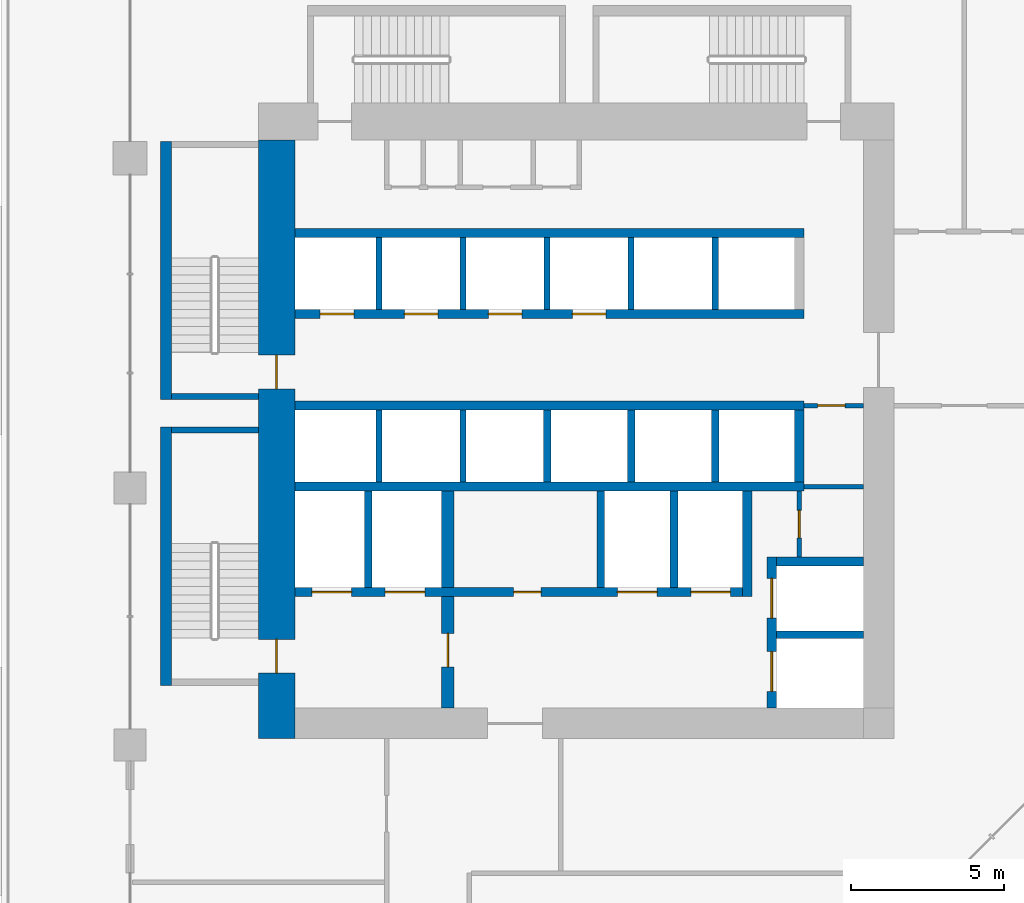
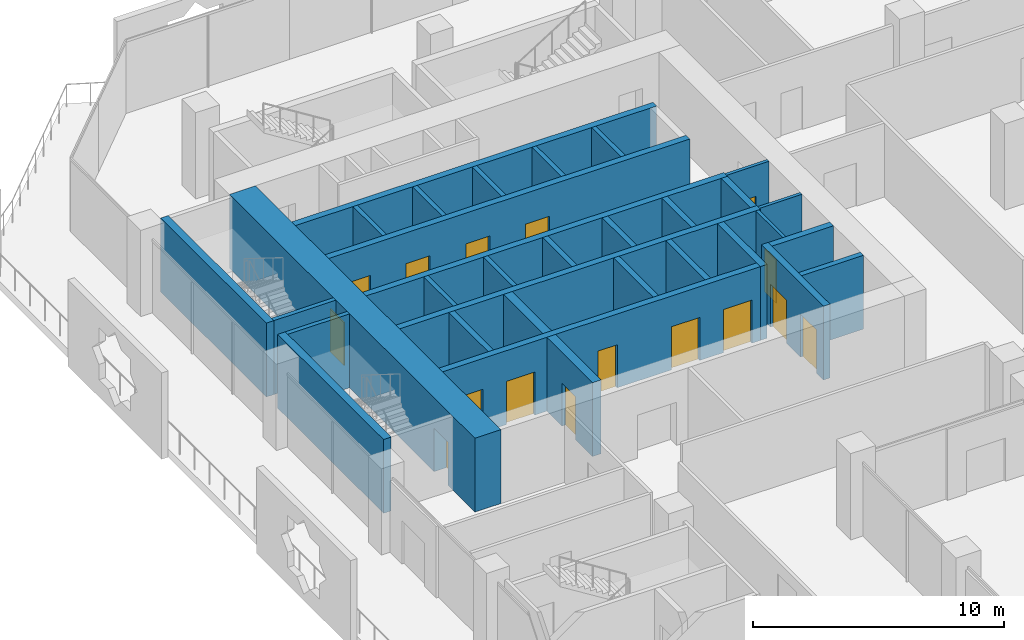
# One storey, part 14 of 25: 33 walls, 16 doors, 16 openings.
"""IFC4 building model written with IfcOpenShell, lengths in metres."""

from ifc_helpers import new_model, si_unit, direction, frame, frame_2d, origin, place, context, subcontext, project, spatial, rectangle, extrude, material, layer, layer_set, type_object, element, fill, save


model = new_model("IFC4")

# Units and contexts
model_context = context("Model", 3, precision=1e-05, world=origin(), true_north=direction((0.0, 1.0)))
body_context = subcontext(model_context, "Body", "Model", "MODEL_VIEW")
ifc_project = project(units=[si_unit("LENGTHUNIT", "METRE"), si_unit("AREAUNIT", "SQUARE_METRE"), si_unit("VOLUMEUNIT", "CUBIC_METRE"), si_unit("PLANEANGLEUNIT", "RADIAN"), si_unit("MASSUNIT", "GRAM", prefix="KILO")], contexts=[model_context])

# Site, building, storey
site_placement = place(None, origin())
site = spatial("IfcSite", under=ifc_project, at=site_placement, CompositionType="ELEMENT")
building_placement = place(site_placement, origin())
building = spatial("IfcBuilding", under=site, at=building_placement, Name="Kawkab Arch Medical Tower", CompositionType="ELEMENT")
storey_placement = place(building_placement, frame((0.0, 0.0, 98.800048828125)))
storey = spatial("IfcBuildingStorey", under=building, at=storey_placement, Name="L22", CompositionType="ELEMENT", Elevation=98.800048828125)

# Wall, openings, doors
ifc_material_1 = material(Name="Concrete C60/75", Category="concrete")
ifc_layer_1 = layer(ifc_material_1, 1.199951171875)
ifc_layer_set_1 = layer_set([ifc_layer_1], Name="Concrete C60/75")
wall_type_1 = type_object("IfcWallType", Name="Core ring wall 1200 C60/75", PredefinedType="SHEAR", material=ifc_layer_set_1)
wall_1_placement = place(storey_placement, frame((4.800048828125, -25.0, 0.0), z_axis=(0.0, 0.0, 1.0), x_axis=(0.0, 1.0, 0.0)))
wall_1 = element("IfcWall", 1, at=wall_1_placement, inside=storey, type_object=wall_type_1, Name="L22 core wall", PredefinedType="SHEAR", context=body_context, shape_type="SweptSolid", body=[
    extrude(rectangle(XDim=19.60009765625, YDim=1.199951171875, at=frame_2d((9.800048828125, 0.0))), origin(), (0.0, 0.0, 1.0), 3.599853515625),
])
opening_1_placement = place(wall_1_placement, frame((11.449951171875, 0.0, 0.0)))
opening_1 = element("IfcOpeningElement", 2, at=opening_1_placement, cuts=wall_1, Name="Opening SD", PredefinedType="OPENING", context=body_context, shape_type="SweptSolid", body=[
    extrude(rectangle(XDim=1.10009765625, YDim=2.10009765625, at=frame_2d((0.550048828125, 1.050048828125))), frame((0.0, 0.60986328125, 0.0), z_axis=(0.0, -1.0, 0.0), x_axis=(1.0, 0.0, 0.0)), (0.0, 0.0, 1.0), 1.219970703125),
])
opening_2_placement = place(wall_1_placement, frame((2.14990234375, 0.0, 0.0)))
opening_2 = element("IfcOpeningElement", 3, at=opening_2_placement, cuts=wall_1, Name="Opening SD", PredefinedType="OPENING", context=body_context, shape_type="SweptSolid", body=[
    extrude(rectangle(XDim=1.10009765625, YDim=2.10009765625, at=frame_2d((0.550048828125, 1.050048828125))), frame((0.0, 0.60986328125, 0.0), z_axis=(0.0, -1.0, 0.0), x_axis=(1.0, 0.0, 0.0)), (0.0, 0.0, 1.0), 1.219970703125),
])
ifc_material_2 = material(Name="Hollow metal fire door leaf")
door_type_1 = type_object("IfcDoorType", Name="Exit stair door 1100", OperationType="SINGLE_SWING_LEFT", PredefinedType="DOOR", material=ifc_material_2)
door_1_placement = place(opening_1_placement, origin())
door_1 = element("IfcDoor", 4, at=door_1_placement, inside=storey, type_object=door_type_1, Name="L22 Exit stair ST1 door", OperationType="SINGLE_SWING_LEFT", OverallHeight=2.10009765625, OverallWidth=1.10009765625, PredefinedType="DOOR", context=body_context, shape_type="SweptSolid", body=[
    extrude(rectangle(XDim=1.10009765625, YDim=2.10009765625, at=frame_2d((0.550048828125, 1.050048828125))), frame((0.0, 0.02490234375, 0.0), z_axis=(0.0, -1.0, 0.0), x_axis=(1.0, 0.0, 0.0)), (0.0, 0.0, 1.0), 0.050048828125),
])
fill(opening_1, door_1)
door_2_placement = place(opening_2_placement, origin())
door_2 = element("IfcDoor", 5, at=door_2_placement, inside=storey, type_object=door_type_1, Name="L22 Exit stair ST2 door", OperationType="SINGLE_SWING_LEFT", OverallHeight=2.10009765625, OverallWidth=1.10009765625, PredefinedType="DOOR", context=body_context, shape_type="SweptSolid", body=[
    extrude(rectangle(XDim=1.10009765625, YDim=2.10009765625, at=frame_2d((0.550048828125, 1.050048828125))), frame((0.0, 0.02490234375, 0.0), z_axis=(0.0, -1.0, 0.0), x_axis=(1.0, 0.0, 0.0)), (0.0, 0.0, 1.0), 0.050048828125),
])
fill(opening_2, door_2)

# Wall, opening, door
ifc_material_3 = material(Name="Gypsum board on steel studs", Category="steel")
ifc_layer_2 = layer(ifc_material_3, 0.14990234375)
ifc_layer_set_2 = layer_set([ifc_layer_2], Name="Gypsum board on steel studs")
wall_type_2 = type_object("IfcWallType", Name="Core room partition 150", PredefinedType="PARTITIONING", material=ifc_layer_set_2)
wall_2_placement = place(storey_placement, frame((21.89990234375, -19.050048828125, 0.0), z_axis=(0.0, 0.0, 1.0), x_axis=(0.0, 1.0, 0.0)))
wall_2 = element("IfcWall", 6, at=wall_2_placement, inside=storey, type_object=wall_type_2, Name="L22 core room partition", PredefinedType="PARTITIONING", context=body_context, shape_type="SweptSolid", body=[
    extrude(rectangle(XDim=2.150146484375, YDim=0.14990234375, at=frame_2d((1.0751953125, 0.0))), origin(), (0.0, 0.0, 1.0), 3.599853515625),
])
opening_3_placement = place(wall_2_placement, frame((0.625, 0.0, 0.0)))
opening_3 = element("IfcOpeningElement", 7, at=opening_3_placement, cuts=wall_2, Name="Opening RD", PredefinedType="OPENING", context=body_context, shape_type="SweptSolid", body=[
    extrude(rectangle(XDim=0.89990234375, YDim=2.10009765625, at=frame_2d((0.449951171875, 1.050048828125))), frame((0.0, 0.0849609375, 0.0), z_axis=(0.0, -1.0, 0.0), x_axis=(1.0, 0.0, 0.0)), (0.0, 0.0, 1.0), 0.169921875),
])
ifc_material_4 = material(Name="Hollow metal fire door leaf")
door_type_2 = type_object("IfcDoorType", Name="Core room door 900", OperationType="SINGLE_SWING_LEFT", PredefinedType="DOOR", material=ifc_material_4)
door_3_placement = place(opening_3_placement, origin())
door_3 = element("IfcDoor", 8, at=door_3_placement, inside=storey, type_object=door_type_2, Name="L22 Staff WC door", OperationType="SINGLE_SWING_LEFT", OverallHeight=2.10009765625, OverallWidth=0.89990234375, PredefinedType="DOOR", context=body_context, shape_type="SweptSolid", body=[
    extrude(rectangle(XDim=0.89990234375, YDim=2.10009765625, at=frame_2d((0.449951171875, 1.050048828125))), frame((0.0, 0.02490234375, 0.0), z_axis=(0.0, -1.0, 0.0), x_axis=(1.0, 0.0, 0.0)), (0.0, 0.0, 1.0), 0.050048828125),
])
fill(opening_3, door_3)

# Wall
wall_3_placement = place(storey_placement, frame((22.050048828125, -16.75, 0.0), z_axis=(0.0, 0.0, 1.0), x_axis=(1.0, 0.0, 0.0)))
element("IfcWall", 9, at=wall_3_placement, inside=storey, type_object=wall_type_2, Name="L22 core room partition", PredefinedType="PARTITIONING", context=body_context, shape_type="SweptSolid", body=[
    extrude(rectangle(XDim=1.949951171875, YDim=0.14990234375, at=frame_2d((0.97509765625, 0.0))), origin(), (0.0, 0.0, 1.0), 3.599853515625),
])

# Wall, opening, door
wall_4_placement = place(storey_placement, frame((22.050048828125, -14.10009765625, 0.0), z_axis=(0.0, 0.0, 1.0), x_axis=(1.0, 0.0, 0.0)))
wall_4 = element("IfcWall", 10, at=wall_4_placement, inside=storey, type_object=wall_type_2, Name="L22 core room partition", PredefinedType="PARTITIONING", context=body_context, shape_type="SweptSolid", body=[
    extrude(rectangle(XDim=1.949951171875, YDim=0.14990234375, at=frame_2d((0.97509765625, 0.0))), origin(), (0.0, 0.0, 1.0), 3.599853515625),
])
opening_4_placement = place(wall_4_placement, frame((0.449951171875, 0.0, 0.0)))
opening_4 = element("IfcOpeningElement", 11, at=opening_4_placement, cuts=wall_4, Name="Opening RD", PredefinedType="OPENING", context=body_context, shape_type="SweptSolid", body=[
    extrude(rectangle(XDim=0.89990234375, YDim=2.10009765625, at=frame_2d((0.449951171875, 1.050048828125))), frame((0.0, 0.0849609375, 0.0), z_axis=(0.0, -1.0, 0.0), x_axis=(1.0, 0.0, 0.0)), (0.0, 0.0, 1.0), 0.169921875),
])
door_4_placement = place(opening_4_placement, origin())
door_4 = element("IfcDoor", 12, at=door_4_placement, inside=storey, type_object=door_type_2, Name="L22 Medical gas plant room door", OperationType="SINGLE_SWING_LEFT", OverallHeight=2.10009765625, OverallWidth=0.89990234375, PredefinedType="DOOR", context=body_context, shape_type="SweptSolid", body=[
    extrude(rectangle(XDim=0.89990234375, YDim=2.10009765625, at=frame_2d((0.449951171875, 1.050048828125))), frame((0.0, 0.02490234375, 0.0), z_axis=(0.0, -1.0, 0.0), x_axis=(1.0, 0.0, 0.0)), (0.0, 0.0, 1.0), 0.050048828125),
])
fill(opening_4, door_4)

# Walls
ifc_material_5 = material(Name="Concrete C60/75", Category="concrete")
ifc_layer_3 = layer(ifc_material_5, 0.25)
ifc_layer_set_3 = layer_set([ifc_layer_3], Name="Concrete C60/75")
wall_type_3 = type_object("IfcWallType", Name="Core shear wall 250 C60/75", PredefinedType="SHEAR", material=ifc_layer_set_3)
wall_5_placement = place(storey_placement, frame((21.14990234375, -21.60009765625, 0.0), z_axis=(0.0, 0.0, 1.0), x_axis=(1.0, 0.0, 0.0)))
element("IfcWall", 13, at=wall_5_placement, inside=storey, type_object=wall_type_3, Name="L22 core shear wall", PredefinedType="SHEAR", context=body_context, shape_type="SweptSolid", body=[
    extrude(rectangle(XDim=2.85009765625, YDim=0.25, at=frame_2d((1.425048828125, 0.0))), origin(), (0.0, 0.0, 1.0), 3.599853515625),
])
for number, where, z_axis, x_axis, name in (
    (14, (7.800048828125, -20.050048828125, 0.0), (0.0, 0.0, 1.0), (0.0, 1.0, 0.0), "L22 core shear wall"),
    (15, (15.39990234375, -20.050048828125, 0.0), (0.0, 0.0, 1.0), (0.0, 1.0, 0.0), "L22 core shear wall"),
    (16, (17.800048828125, -20.050048828125, 0.0), (0.0, 0.0, 1.0), (0.0, 1.0, 0.0), "L22 core shear wall"),
):
    element("IfcWall", number, at=place(storey_placement, frame(where, z_axis=z_axis, x_axis=x_axis)), inside=storey, type_object=wall_type_3, Name=name, PredefinedType="SHEAR", context=body_context, shape_type="SweptSolid", body=[
        extrude(rectangle(XDim=3.150146484375, YDim=0.25, at=frame_2d((1.5751953125, 0.0))), origin(), (0.0, 0.0, 1.0), 3.599853515625),
    ])
for number, where, z_axis, x_axis, name in (
    (17, (13.64990234375, -16.60009765625, 0.0), (0.0, 0.0, 1.0), (0.0, 1.0, 0.0), "L22 core shear wall"),
    (18, (16.39990234375, -16.60009765625, 0.0), (0.0, 0.0, 1.0), (0.0, 1.0, 0.0), "L22 core shear wall"),
    (19, (19.14990234375, -16.60009765625, 0.0), (0.0, 0.0, 1.0), (0.0, 1.0, 0.0), "L22 core shear wall"),
):
    element("IfcWall", number, at=place(storey_placement, frame(where, z_axis=z_axis, x_axis=x_axis)), inside=storey, type_object=wall_type_3, Name=name, PredefinedType="SHEAR", context=body_context, shape_type="SweptSolid", body=[
        extrude(rectangle(XDim=2.35009765625, YDim=0.25, at=frame_2d((1.175048828125, 0.0))), origin(), (0.0, 0.0, 1.0), 3.599853515625),
    ])
ifc_material_6 = material(Name="Concrete C60/75", Category="concrete")
ifc_layer_4 = layer(ifc_material_6, 0.300048828125)
ifc_layer_set_4 = layer_set([ifc_layer_4], Name="Concrete C60/75")
wall_type_4 = type_object("IfcWallType", Name="Core shear wall 300 C60/75", PredefinedType="SHEAR", material=ifc_layer_set_4)
wall_6_placement = place(storey_placement, frame((5.39990234375, -8.449951171875, 0.0), z_axis=(0.0, 0.0, 1.0), x_axis=(1.0, 0.0, 0.0)))
element("IfcWall", 20, at=wall_6_placement, inside=storey, type_object=wall_type_4, Name="L22 core shear wall", PredefinedType="SHEAR", context=body_context, shape_type="SweptSolid", body=[
    extrude(rectangle(XDim=16.650146484375, YDim=0.300048828125, at=frame_2d((8.3251953125, 0.0))), origin(), (0.0, 0.0, 1.0), 3.599853515625),
])

# Wall, openings, doors
wall_7_placement = place(storey_placement, frame((5.39990234375, -11.10009765625, 0.0), z_axis=(0.0, 0.0, 1.0), x_axis=(1.0, 0.0, 0.0)))
wall_7 = element("IfcWall", 21, at=wall_7_placement, inside=storey, type_object=wall_type_4, Name="L22 core shear wall", PredefinedType="SHEAR", context=body_context, shape_type="SweptSolid", body=[
    extrude(rectangle(XDim=16.650146484375, YDim=0.300048828125, at=frame_2d((8.3251953125, 0.0))), origin(), (0.0, 0.0, 1.0), 3.599853515625),
])
opening_5_placement = place(wall_7_placement, frame((0.824951171875, 0.0, 0.0)))
opening_5 = element("IfcOpeningElement", 22, at=opening_5_placement, cuts=wall_7, Name="Opening LD1", PredefinedType="OPENING", context=body_context, shape_type="SweptSolid", body=[
    extrude(rectangle(XDim=1.10009765625, YDim=2.10009765625, at=frame_2d((0.550048828125, 1.050048828125))), frame((0.0, 0.159912109375, 0.0), z_axis=(0.0, -1.0, 0.0), x_axis=(1.0, 0.0, 0.0)), (0.0, 0.0, 1.0), 0.320068359375),
])
opening_6_placement = place(wall_7_placement, frame((3.574951171875, 0.0, 0.0)))
opening_6 = element("IfcOpeningElement", 23, at=opening_6_placement, cuts=wall_7, Name="Opening LD1", PredefinedType="OPENING", context=body_context, shape_type="SweptSolid", body=[
    extrude(rectangle(XDim=1.10009765625, YDim=2.10009765625, at=frame_2d((0.550048828125, 1.050048828125))), frame((0.0, 0.159912109375, 0.0), z_axis=(0.0, -1.0, 0.0), x_axis=(1.0, 0.0, 0.0)), (0.0, 0.0, 1.0), 0.320068359375),
])
opening_7_placement = place(wall_7_placement, frame((6.324951171875, 0.0, 0.0)))
opening_7 = element("IfcOpeningElement", 24, at=opening_7_placement, cuts=wall_7, Name="Opening LD1", PredefinedType="OPENING", context=body_context, shape_type="SweptSolid", body=[
    extrude(rectangle(XDim=1.10009765625, YDim=2.10009765625, at=frame_2d((0.550048828125, 1.050048828125))), frame((0.0, 0.159912109375, 0.0), z_axis=(0.0, -1.0, 0.0), x_axis=(1.0, 0.0, 0.0)), (0.0, 0.0, 1.0), 0.320068359375),
])
opening_8_placement = place(wall_7_placement, frame((9.074951171875, 0.0, 0.0)))
opening_8 = element("IfcOpeningElement", 25, at=opening_8_placement, cuts=wall_7, Name="Opening LD1", PredefinedType="OPENING", context=body_context, shape_type="SweptSolid", body=[
    extrude(rectangle(XDim=1.10009765625, YDim=2.10009765625, at=frame_2d((0.550048828125, 1.050048828125))), frame((0.0, 0.159912109375, 0.0), z_axis=(0.0, -1.0, 0.0), x_axis=(1.0, 0.0, 0.0)), (0.0, 0.0, 1.0), 0.320068359375),
])
ifc_material_7 = material(Name="Stainless steel lift door leaf", Category="steel")
door_type_3 = type_object("IfcDoorType", Name="Lift landing door 1100", OperationType="DOUBLE_DOOR_SLIDING", PredefinedType="DOOR", material=ifc_material_7)
door_5_placement = place(opening_5_placement, origin())
door_5 = element("IfcDoor", 26, at=door_5_placement, inside=storey, type_object=door_type_3, Name="L22 Lift landing door LP1", OperationType="DOUBLE_DOOR_SLIDING", OverallHeight=2.10009765625, OverallWidth=1.10009765625, PredefinedType="DOOR", context=body_context, shape_type="SweptSolid", body=[
    extrude(rectangle(XDim=1.10009765625, YDim=2.10009765625, at=frame_2d((0.550048828125, 1.050048828125))), frame((0.0, 0.02490234375, 0.0), z_axis=(0.0, -1.0, 0.0), x_axis=(1.0, 0.0, 0.0)), (0.0, 0.0, 1.0), 0.050048828125),
])
fill(opening_5, door_5)
door_6_placement = place(opening_6_placement, origin())
door_6 = element("IfcDoor", 27, at=door_6_placement, inside=storey, type_object=door_type_3, Name="L22 Lift landing door LP2", OperationType="DOUBLE_DOOR_SLIDING", OverallHeight=2.10009765625, OverallWidth=1.10009765625, PredefinedType="DOOR", context=body_context, shape_type="SweptSolid", body=[
    extrude(rectangle(XDim=1.10009765625, YDim=2.10009765625, at=frame_2d((0.550048828125, 1.050048828125))), frame((0.0, 0.02490234375, 0.0), z_axis=(0.0, -1.0, 0.0), x_axis=(1.0, 0.0, 0.0)), (0.0, 0.0, 1.0), 0.050048828125),
])
fill(opening_6, door_6)
door_7_placement = place(opening_7_placement, origin())
door_7 = element("IfcDoor", 28, at=door_7_placement, inside=storey, type_object=door_type_3, Name="L22 Lift landing door LP3", OperationType="DOUBLE_DOOR_SLIDING", OverallHeight=2.10009765625, OverallWidth=1.10009765625, PredefinedType="DOOR", context=body_context, shape_type="SweptSolid", body=[
    extrude(rectangle(XDim=1.10009765625, YDim=2.10009765625, at=frame_2d((0.550048828125, 1.050048828125))), frame((0.0, 0.02490234375, 0.0), z_axis=(0.0, -1.0, 0.0), x_axis=(1.0, 0.0, 0.0)), (0.0, 0.0, 1.0), 0.050048828125),
])
fill(opening_7, door_7)
door_8_placement = place(opening_8_placement, origin())
door_8 = element("IfcDoor", 29, at=door_8_placement, inside=storey, type_object=door_type_3, Name="L22 Lift landing door LP4", OperationType="DOUBLE_DOOR_SLIDING", OverallHeight=2.10009765625, OverallWidth=1.10009765625, PredefinedType="DOOR", context=body_context, shape_type="SweptSolid", body=[
    extrude(rectangle(XDim=1.10009765625, YDim=2.10009765625, at=frame_2d((0.550048828125, 1.050048828125))), frame((0.0, 0.02490234375, 0.0), z_axis=(0.0, -1.0, 0.0), x_axis=(1.0, 0.0, 0.0)), (0.0, 0.0, 1.0), 0.050048828125),
])
fill(opening_8, door_8)

# Walls
for number, where, z_axis, x_axis, name in (
    (30, (5.39990234375, -14.10009765625, 0.0), (0.0, 0.0, 1.0), (1.0, 0.0, 0.0), "L22 core shear wall"),
    (31, (5.39990234375, -16.75, 0.0), (0.0, 0.0, 1.0), (1.0, 0.0, 0.0), "L22 core shear wall"),
):
    element("IfcWall", number, at=place(storey_placement, frame(where, z_axis=z_axis, x_axis=x_axis)), inside=storey, type_object=wall_type_4, Name=name, PredefinedType="SHEAR", context=body_context, shape_type="SweptSolid", body=[
        extrude(rectangle(XDim=16.650146484375, YDim=0.300048828125, at=frame_2d((8.3251953125, 0.0))), origin(), (0.0, 0.0, 1.0), 3.599853515625),
    ])

# Wall, openings, doors
wall_8_placement = place(storey_placement, frame((5.39990234375, -20.199951171875, 0.0), z_axis=(0.0, 0.0, 1.0), x_axis=(1.0, 0.0, 0.0)))
wall_8 = element("IfcWall", 32, at=wall_8_placement, inside=storey, type_object=wall_type_4, Name="L22 core shear wall", PredefinedType="SHEAR", context=body_context, shape_type="SweptSolid", body=[
    extrude(rectangle(XDim=14.650146484375, YDim=0.300048828125, at=frame_2d((7.3251953125, 0.0))), origin(), (0.0, 0.0, 1.0), 3.599853515625),
])
opening_9_placement = place(wall_8_placement, frame((10.550048828125, 0.0, 0.0)))
opening_9 = element("IfcOpeningElement", 33, at=opening_9_placement, cuts=wall_8, Name="Opening LD2", PredefinedType="OPENING", context=body_context, shape_type="SweptSolid", body=[
    extrude(rectangle(XDim=1.300048828125, YDim=2.10009765625, at=frame_2d((0.64990234375, 1.050048828125))), frame((0.0, 0.159912109375, 0.0), z_axis=(0.0, -1.0, 0.0), x_axis=(1.0, 0.0, 0.0)), (0.0, 0.0, 1.0), 0.320068359375),
])
opening_10_placement = place(wall_8_placement, frame((12.949951171875, 0.0, 0.0)))
opening_10 = element("IfcOpeningElement", 34, at=opening_10_placement, cuts=wall_8, Name="Opening LD2", PredefinedType="OPENING", context=body_context, shape_type="SweptSolid", body=[
    extrude(rectangle(XDim=1.300048828125, YDim=2.10009765625, at=frame_2d((0.64990234375, 1.050048828125))), frame((0.0, 0.159912109375, 0.0), z_axis=(0.0, -1.0, 0.0), x_axis=(1.0, 0.0, 0.0)), (0.0, 0.0, 1.0), 0.320068359375),
])
opening_11_placement = place(wall_8_placement, frame((0.550048828125, 0.0, 0.0)))
opening_11 = element("IfcOpeningElement", 35, at=opening_11_placement, cuts=wall_8, Name="Opening LD2", PredefinedType="OPENING", context=body_context, shape_type="SweptSolid", body=[
    extrude(rectangle(XDim=1.300048828125, YDim=2.10009765625, at=frame_2d((0.64990234375, 1.050048828125))), frame((0.0, 0.159912109375, 0.0), z_axis=(0.0, -1.0, 0.0), x_axis=(1.0, 0.0, 0.0)), (0.0, 0.0, 1.0), 0.320068359375),
])
opening_12_placement = place(wall_8_placement, frame((2.949951171875, 0.0, 0.0)))
opening_12 = element("IfcOpeningElement", 36, at=opening_12_placement, cuts=wall_8, Name="Opening LD2", PredefinedType="OPENING", context=body_context, shape_type="SweptSolid", body=[
    extrude(rectangle(XDim=1.300048828125, YDim=2.10009765625, at=frame_2d((0.64990234375, 1.050048828125))), frame((0.0, 0.159912109375, 0.0), z_axis=(0.0, -1.0, 0.0), x_axis=(1.0, 0.0, 0.0)), (0.0, 0.0, 1.0), 0.320068359375),
])
opening_13_placement = place(wall_8_placement, frame((7.14990234375, 0.0, 0.0)))
opening_13 = element("IfcOpeningElement", 37, at=opening_13_placement, cuts=wall_8, Name="Opening RD", PredefinedType="OPENING", context=body_context, shape_type="SweptSolid", body=[
    extrude(rectangle(XDim=0.89990234375, YDim=2.10009765625, at=frame_2d((0.449951171875, 1.050048828125))), frame((0.0, 0.159912109375, 0.0), z_axis=(0.0, -1.0, 0.0), x_axis=(1.0, 0.0, 0.0)), (0.0, 0.0, 1.0), 0.320068359375),
])
door_9_placement = place(opening_13_placement, origin())
door_9 = element("IfcDoor", 38, at=door_9_placement, inside=storey, type_object=door_type_2, Name="L22 Housekeeping store door", OperationType="SINGLE_SWING_LEFT", OverallHeight=2.10009765625, OverallWidth=0.89990234375, PredefinedType="DOOR", context=body_context, shape_type="SweptSolid", body=[
    extrude(rectangle(XDim=0.89990234375, YDim=2.10009765625, at=frame_2d((0.449951171875, 1.050048828125))), frame((0.0, 0.02490234375, 0.0), z_axis=(0.0, -1.0, 0.0), x_axis=(1.0, 0.0, 0.0)), (0.0, 0.0, 1.0), 0.050048828125),
])
fill(opening_13, door_9)
ifc_material_8 = material(Name="Stainless steel lift door leaf", Category="steel")
door_type_4 = type_object("IfcDoorType", Name="Lift landing door 1300", OperationType="DOUBLE_DOOR_SLIDING", PredefinedType="DOOR", material=ifc_material_8)
door_10_placement = place(opening_9_placement, origin())
door_10 = element("IfcDoor", 39, at=door_10_placement, inside=storey, type_object=door_type_4, Name="L22 Lift landing door BD3", OperationType="DOUBLE_DOOR_SLIDING", OverallHeight=2.10009765625, OverallWidth=1.300048828125, PredefinedType="DOOR", context=body_context, shape_type="SweptSolid", body=[
    extrude(rectangle(XDim=1.300048828125, YDim=2.10009765625, at=frame_2d((0.64990234375, 1.050048828125))), frame((0.0, 0.02490234375, 0.0), z_axis=(0.0, -1.0, 0.0), x_axis=(1.0, 0.0, 0.0)), (0.0, 0.0, 1.0), 0.050048828125),
])
fill(opening_9, door_10)
door_11_placement = place(opening_10_placement, origin())
door_11 = element("IfcDoor", 40, at=door_11_placement, inside=storey, type_object=door_type_4, Name="L22 Lift landing door BD4", OperationType="DOUBLE_DOOR_SLIDING", OverallHeight=2.10009765625, OverallWidth=1.300048828125, PredefinedType="DOOR", context=body_context, shape_type="SweptSolid", body=[
    extrude(rectangle(XDim=1.300048828125, YDim=2.10009765625, at=frame_2d((0.64990234375, 1.050048828125))), frame((0.0, 0.02490234375, 0.0), z_axis=(0.0, -1.0, 0.0), x_axis=(1.0, 0.0, 0.0)), (0.0, 0.0, 1.0), 0.050048828125),
])
fill(opening_10, door_11)
door_12_placement = place(opening_11_placement, origin())
door_12 = element("IfcDoor", 41, at=door_12_placement, inside=storey, type_object=door_type_4, Name="L22 Lift landing door FL1", OperationType="DOUBLE_DOOR_SLIDING", OverallHeight=2.10009765625, OverallWidth=1.300048828125, PredefinedType="DOOR", context=body_context, shape_type="SweptSolid", body=[
    extrude(rectangle(XDim=1.300048828125, YDim=2.10009765625, at=frame_2d((0.64990234375, 1.050048828125))), frame((0.0, 0.02490234375, 0.0), z_axis=(0.0, -1.0, 0.0), x_axis=(1.0, 0.0, 0.0)), (0.0, 0.0, 1.0), 0.050048828125),
])
fill(opening_11, door_12)
door_13_placement = place(opening_12_placement, origin())
door_13 = element("IfcDoor", 42, at=door_13_placement, inside=storey, type_object=door_type_4, Name="L22 Lift landing door FL2", OperationType="DOUBLE_DOOR_SLIDING", OverallHeight=2.10009765625, OverallWidth=1.300048828125, PredefinedType="DOOR", context=body_context, shape_type="SweptSolid", body=[
    extrude(rectangle(XDim=1.300048828125, YDim=2.10009765625, at=frame_2d((0.64990234375, 1.050048828125))), frame((0.0, 0.02490234375, 0.0), z_axis=(0.0, -1.0, 0.0), x_axis=(1.0, 0.0, 0.0)), (0.0, 0.0, 1.0), 0.050048828125),
])
fill(opening_12, door_13)

# Walls
wall_9_placement = place(storey_placement, frame((20.199951171875, -20.35009765625, 0.0), z_axis=(0.0, 0.0, 1.0), x_axis=(0.0, 1.0, 0.0)))
element("IfcWall", 43, at=wall_9_placement, inside=storey, type_object=wall_type_4, Name="L22 core shear wall", PredefinedType="SHEAR", context=body_context, shape_type="SweptSolid", body=[
    extrude(rectangle(XDim=3.4501953125, YDim=0.300048828125, at=frame_2d((1.72509765625, 0.0))), origin(), (0.0, 0.0, 1.0), 3.599853515625),
])
wall_10_placement = place(storey_placement, frame((21.89990234375, -16.60009765625, 0.0), z_axis=(0.0, 0.0, 1.0), x_axis=(0.0, 1.0, 0.0)))
element("IfcWall", 44, at=wall_10_placement, inside=storey, type_object=wall_type_4, Name="L22 core shear wall", PredefinedType="SHEAR", context=body_context, shape_type="SweptSolid", body=[
    extrude(rectangle(XDim=2.35009765625, YDim=0.300048828125, at=frame_2d((1.175048828125, 0.0))), origin(), (0.0, 0.0, 1.0), 3.599853515625),
])
wall_11_placement = place(storey_placement, frame((21.14990234375, -19.199951171875, 0.0), z_axis=(0.0, 0.0, 1.0), x_axis=(1.0, 0.0, 0.0)))
element("IfcWall", 45, at=wall_11_placement, inside=storey, type_object=wall_type_4, Name="L22 core shear wall", PredefinedType="SHEAR", context=body_context, shape_type="SweptSolid", body=[
    extrude(rectangle(XDim=2.85009765625, YDim=0.300048828125, at=frame_2d((1.425048828125, 0.0))), origin(), (0.0, 0.0, 1.0), 3.599853515625),
])

# Wall, openings, doors
wall_12_placement = place(storey_placement, frame((21.0, -24.0, 0.0), z_axis=(0.0, 0.0, 1.0), x_axis=(0.0, 1.0, 0.0)))
wall_12 = element("IfcWall", 46, at=wall_12_placement, inside=storey, type_object=wall_type_4, Name="L22 core shear wall", PredefinedType="SHEAR", context=body_context, shape_type="SweptSolid", body=[
    extrude(rectangle(XDim=4.949951171875, YDim=0.300048828125, at=frame_2d((2.47509765625, 0.0))), origin(), (0.0, 0.0, 1.0), 3.599853515625),
])
opening_14_placement = place(wall_12_placement, frame((2.949951171875, 0.0, 0.0)))
opening_14 = element("IfcOpeningElement", 47, at=opening_14_placement, cuts=wall_12, Name="Opening LD2", PredefinedType="OPENING", context=body_context, shape_type="SweptSolid", body=[
    extrude(rectangle(XDim=1.300048828125, YDim=2.10009765625, at=frame_2d((0.64990234375, 1.050048828125))), frame((0.0, 0.159912109375, 0.0), z_axis=(0.0, -1.0, 0.0), x_axis=(1.0, 0.0, 0.0)), (0.0, 0.0, 1.0), 0.320068359375),
])
opening_15_placement = place(wall_12_placement, frame((0.550048828125, 0.0, 0.0)))
opening_15 = element("IfcOpeningElement", 48, at=opening_15_placement, cuts=wall_12, Name="Opening LD2", PredefinedType="OPENING", context=body_context, shape_type="SweptSolid", body=[
    extrude(rectangle(XDim=1.300048828125, YDim=2.10009765625, at=frame_2d((0.64990234375, 1.050048828125))), frame((0.0, 0.159912109375, 0.0), z_axis=(0.0, -1.0, 0.0), x_axis=(1.0, 0.0, 0.0)), (0.0, 0.0, 1.0), 0.320068359375),
])
door_14_placement = place(opening_14_placement, origin())
door_14 = element("IfcDoor", 49, at=door_14_placement, inside=storey, type_object=door_type_4, Name="L22 Lift landing door BD1", OperationType="DOUBLE_DOOR_SLIDING", OverallHeight=2.10009765625, OverallWidth=1.300048828125, PredefinedType="DOOR", context=body_context, shape_type="SweptSolid", body=[
    extrude(rectangle(XDim=1.300048828125, YDim=2.10009765625, at=frame_2d((0.64990234375, 1.050048828125))), frame((0.0, 0.02490234375, 0.0), z_axis=(0.0, -1.0, 0.0), x_axis=(1.0, 0.0, 0.0)), (0.0, 0.0, 1.0), 0.050048828125),
])
fill(opening_14, door_14)
door_15_placement = place(opening_15_placement, origin())
door_15 = element("IfcDoor", 50, at=door_15_placement, inside=storey, type_object=door_type_4, Name="L22 Lift landing door BD2", OperationType="DOUBLE_DOOR_SLIDING", OverallHeight=2.10009765625, OverallWidth=1.300048828125, PredefinedType="DOOR", context=body_context, shape_type="SweptSolid", body=[
    extrude(rectangle(XDim=1.300048828125, YDim=2.10009765625, at=frame_2d((0.64990234375, 1.050048828125))), frame((0.0, 0.02490234375, 0.0), z_axis=(0.0, -1.0, 0.0), x_axis=(1.0, 0.0, 0.0)), (0.0, 0.0, 1.0), 0.050048828125),
])
fill(opening_15, door_15)

# Wall, opening, door
ifc_material_9 = material(Name="Concrete C60/75", Category="concrete")
ifc_layer_5 = layer(ifc_material_9, 0.39990234375)
ifc_layer_set_5 = layer_set([ifc_layer_5], Name="Concrete C60/75")
wall_type_5 = type_object("IfcWallType", Name="Core shear wall 400 C60/75", PredefinedType="SHEAR", material=ifc_layer_set_5)
wall_13_placement = place(storey_placement, frame((10.39990234375, -24.0, 0.0), z_axis=(0.0, 0.0, 1.0), x_axis=(0.0, 1.0, 0.0)))
wall_13 = element("IfcWall", 51, at=wall_13_placement, inside=storey, type_object=wall_type_5, Name="L22 core shear wall", PredefinedType="SHEAR", context=body_context, shape_type="SweptSolid", body=[
    extrude(rectangle(XDim=3.64990234375, YDim=0.39990234375, at=frame_2d((1.824951171875, 0.0))), origin(), (0.0, 0.0, 1.0), 3.599853515625),
])
opening_16_placement = place(wall_13_placement, frame((1.35009765625, 0.0, 0.0)))
opening_16 = element("IfcOpeningElement", 52, at=opening_16_placement, cuts=wall_13, Name="Opening FD", PredefinedType="OPENING", context=body_context, shape_type="SweptSolid", body=[
    extrude(rectangle(XDim=1.10009765625, YDim=2.10009765625, at=frame_2d((0.550048828125, 1.050048828125))), frame((0.0, 0.2099609375, 0.0), z_axis=(0.0, -1.0, 0.0), x_axis=(1.0, 0.0, 0.0)), (0.0, 0.0, 1.0), 0.419921875),
])
ifc_material_10 = material(Name="Hollow metal fire door leaf")
door_type_5 = type_object("IfcDoorType", Name="Firefighting lobby door 1100", OperationType="SINGLE_SWING_LEFT", PredefinedType="DOOR", material=ifc_material_10)
door_16_placement = place(opening_16_placement, origin())
door_16 = element("IfcDoor", 53, at=door_16_placement, inside=storey, type_object=door_type_5, Name="L22 Firefighting lobby door", OperationType="SINGLE_SWING_LEFT", OverallHeight=2.10009765625, OverallWidth=1.10009765625, PredefinedType="DOOR", context=body_context, shape_type="SweptSolid", body=[
    extrude(rectangle(XDim=1.10009765625, YDim=2.10009765625, at=frame_2d((0.550048828125, 1.050048828125))), frame((0.0, 0.02490234375, 0.0), z_axis=(0.0, -1.0, 0.0), x_axis=(1.0, 0.0, 0.0)), (0.0, 0.0, 1.0), 0.050048828125),
])
fill(opening_16, door_16)

# Walls
wall_14_placement = place(storey_placement, frame((10.39990234375, -20.050048828125, 0.0), z_axis=(0.0, 0.0, 1.0), x_axis=(0.0, 1.0, 0.0)))
element("IfcWall", 54, at=wall_14_placement, inside=storey, type_object=wall_type_5, Name="L22 core shear wall", PredefinedType="SHEAR", context=body_context, shape_type="SweptSolid", body=[
    extrude(rectangle(XDim=3.150146484375, YDim=0.39990234375, at=frame_2d((1.5751953125, 0.0))), origin(), (0.0, 0.0, 1.0), 3.599853515625),
])
ifc_material_11 = material(Name="Dense concrete blockwork", Category="masonry")
ifc_layer_6 = layer(ifc_material_11, 0.199951171875)
ifc_layer_set_6 = layer_set([ifc_layer_6], Name="Dense concrete blockwork")
wall_type_6 = type_object("IfcWallType", Name="Lift shaft partition 200", PredefinedType="PARTITIONING", material=ifc_layer_set_6)
for number, where, z_axis, x_axis, name in (
    (55, (8.14990234375, -10.949951171875, 0.0), (0.0, 0.0, 1.0), (0.0, 1.0, 0.0), "L22 lift shaft partition"),
    (56, (10.89990234375, -10.949951171875, 0.0), (0.0, 0.0, 1.0), (0.0, 1.0, 0.0), "L22 lift shaft partition"),
    (57, (13.64990234375, -10.949951171875, 0.0), (0.0, 0.0, 1.0), (0.0, 1.0, 0.0), "L22 lift shaft partition"),
    (58, (16.39990234375, -10.949951171875, 0.0), (0.0, 0.0, 1.0), (0.0, 1.0, 0.0), "L22 lift shaft partition"),
    (59, (19.14990234375, -10.949951171875, 0.0), (0.0, 0.0, 1.0), (0.0, 1.0, 0.0), "L22 lift shaft partition"),
):
    element("IfcWall", number, at=place(storey_placement, frame(where, z_axis=z_axis, x_axis=x_axis)), inside=storey, type_object=wall_type_6, Name=name, PredefinedType="PARTITIONING", context=body_context, shape_type="SweptSolid", body=[
        extrude(rectangle(XDim=2.349853515625, YDim=0.199951171875, at=frame_2d((1.1748046875, 0.0))), origin(), (0.0, 0.0, 1.0), 3.599853515625),
    ])
for number, where, z_axis, x_axis, name in (
    (60, (8.14990234375, -16.60009765625, 0.0), (0.0, 0.0, 1.0), (0.0, 1.0, 0.0), "L22 lift shaft partition"),
    (61, (10.89990234375, -16.60009765625, 0.0), (0.0, 0.0, 1.0), (0.0, 1.0, 0.0), "L22 lift shaft partition"),
):
    element("IfcWall", number, at=place(storey_placement, frame(where, z_axis=z_axis, x_axis=x_axis)), inside=storey, type_object=wall_type_6, Name=name, PredefinedType="PARTITIONING", context=body_context, shape_type="SweptSolid", body=[
        extrude(rectangle(XDim=2.35009765625, YDim=0.199951171875, at=frame_2d((1.175048828125, 0.0))), origin(), (0.0, 0.0, 1.0), 3.599853515625),
    ])
ifc_material_12 = material(Name="Concrete C50/60", Category="concrete")
ifc_layer_7 = layer(ifc_material_12, 0.199951171875)
ifc_layer_set_7 = layer_set([ifc_layer_7], Name="Concrete C50/60")
wall_type_7 = type_object("IfcWallType", Name="Stair enclosure wall 200 C50/60", PredefinedType="SHEAR", material=ifc_layer_set_7)
for number, where, z_axis, x_axis, name in (
    (62, (1.35009765625, -13.800048828125, 0.0), (0.0, 0.0, 1.0), (1.0, 0.0, 0.0), "L22 stair enclosure wall"),
    (63, (1.35009765625, -14.89990234375, 0.0), (0.0, 0.0, 1.0), (1.0, 0.0, 0.0), "L22 stair enclosure wall"),
):
    element("IfcWall", number, at=place(storey_placement, frame(where, z_axis=z_axis, x_axis=x_axis)), inside=storey, type_object=wall_type_7, Name=name, PredefinedType="SHEAR", context=body_context, shape_type="SweptSolid", body=[
        extrude(rectangle(XDim=2.849853515625, YDim=0.199951171875, at=frame_2d((1.4248046875, 0.0))), origin(), (0.0, 0.0, 1.0), 3.599853515625),
    ])
ifc_material_13 = material(Name="Concrete C50/60", Category="concrete")
ifc_layer_8 = layer(ifc_material_13, 0.35009765625)
ifc_layer_set_8 = layer_set([ifc_layer_8], Name="Concrete C50/60")
wall_type_8 = type_object("IfcWallType", Name="Stair enclosure wall 350 C50/60", PredefinedType="SHEAR", material=ifc_layer_set_8)
for number, where, z_axis, x_axis, name in (
    (64, (1.175048828125, -13.89990234375, 0.0), (0.0, 0.0, 1.0), (0.0, 1.0, 0.0), "L22 stair enclosure wall"),
    (65, (1.175048828125, -23.25, 0.0), (0.0, 0.0, 1.0), (0.0, 1.0, 0.0), "L22 stair enclosure wall"),
):
    element("IfcWall", number, at=place(storey_placement, frame(where, z_axis=z_axis, x_axis=x_axis)), inside=storey, type_object=wall_type_8, Name=name, PredefinedType="SHEAR", context=body_context, shape_type="SweptSolid", body=[
        extrude(rectangle(XDim=8.449951171875, YDim=0.35009765625, at=frame_2d((4.22509765625, 0.0))), origin(), (0.0, 0.0, 1.0), 3.599853515625),
    ])

save(model, "model.ifc")
